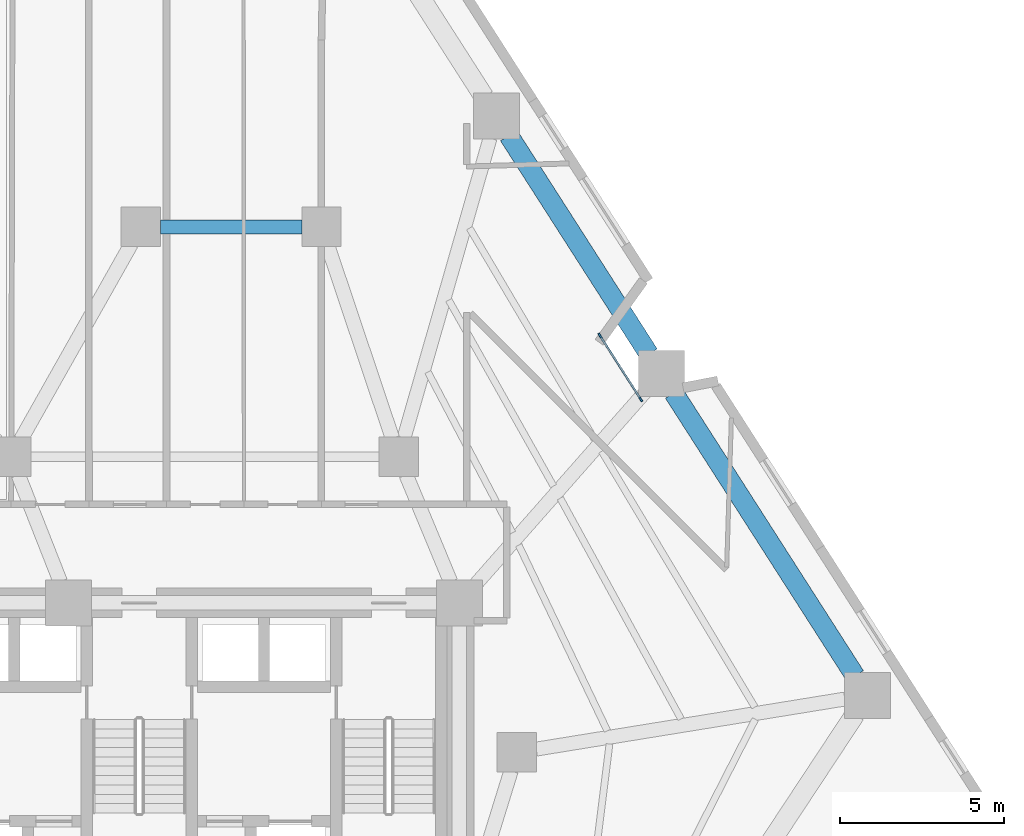
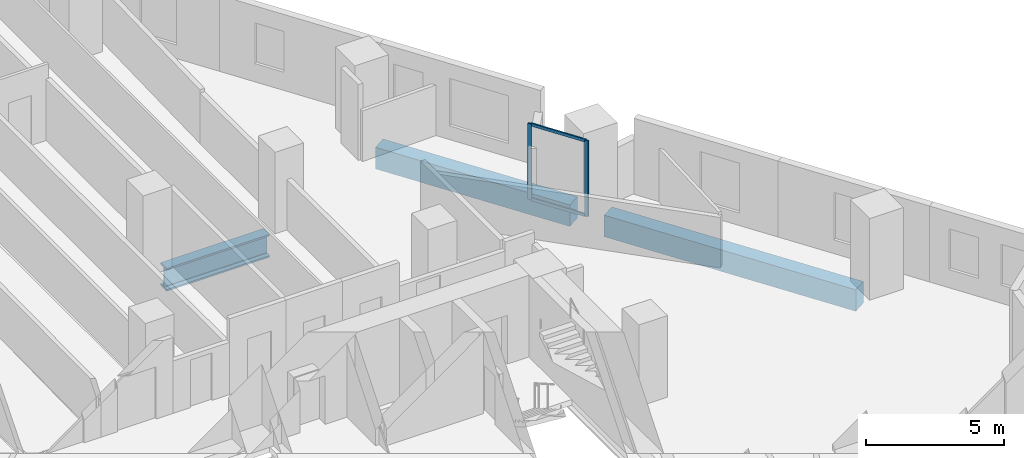
# One storey, part 5 of 15: 4 members, 3 beams, 1 element without a shape of its own.
"""IFC4 building model written with IfcOpenShell, lengths in metres."""

from ifc_helpers import new_model, si_unit, direction, frame, origin, origin_2d, place, context, subcontext, project, spatial, rectangle, i_section, extrude, material, layer, layer_set, material_profile, profile_set, type_object, element, aggregate, save


model = new_model("IFC4")

# Units and contexts
model_context = context("Model", 3, precision=1e-05, world=origin(), true_north=direction((0.0, 1.0)))
body_context = subcontext(model_context, "Body", "Model", "MODEL_VIEW")
ifc_project = project(units=[si_unit("LENGTHUNIT", "METRE"), si_unit("AREAUNIT", "SQUARE_METRE"), si_unit("VOLUMEUNIT", "CUBIC_METRE"), si_unit("PLANEANGLEUNIT", "RADIAN"), si_unit("MASSUNIT", "GRAM", prefix="KILO")], contexts=[model_context])

# Site, building, storey
site_placement = place(None, origin())
site = spatial("IfcSite", under=ifc_project, at=site_placement, CompositionType="ELEMENT")
building_placement = place(site_placement, origin())
building = spatial("IfcBuilding", under=site, at=building_placement, Name="Almagre Mirador Tower", CompositionType="ELEMENT")
storey_placement = place(building_placement, frame((0.0, 0.0, 31.800048828125)))
storey = spatial("IfcBuildingStorey", under=building, at=storey_placement, Name="L06", CompositionType="ELEMENT", Elevation=31.800048828125)

# Beams
ifc_material_1 = material(Name="Precast concrete C50/60", Category="concrete")
ifc_material_profile_1 = material_profile(ifc_material_1, rectangle(XDim=0.60009765625, YDim=0.949951171875, at=origin_2d()), Name="RC600X950")
ifc_profile_set_1 = profile_set([ifc_material_profile_1], Name="Precast concrete C50/60")
beam_type_1 = type_object("IfcBeamType", Name="BM-SPN-RC600X950", PredefinedType="SPANDREL", material=ifc_profile_set_1)
beam_1_placement = place(storey_placement, frame((59.104248046875, 12.5224609375, -0.72509765625), z_axis=(-0.539549548581, 0.841953849463, 0.0), x_axis=(-0.841953849463, -0.539549548581, 0.0)))
element("IfcBeam", 1, at=beam_1_placement, inside=storey, type_object=beam_type_1, Name="L06 perimeter spandrel beam PC05-PC06", PredefinedType="SPANDREL", context=body_context, shape_type="SweptSolid", body=[
    extrude(rectangle(XDim=0.60009765625, YDim=0.949951171875, at=origin_2d()), origin(), (0.0, 0.0, 1.0), 10.239501953125),
])
beam_2_placement = place(storey_placement, frame((52.82421875, 22.322509765625, -0.72509765625), z_axis=(-0.539540486584, 0.841959656597, 0.0), x_axis=(-0.841959656597, -0.539540486584, 0.0)))
element("IfcBeam", 2, at=beam_2_placement, inside=storey, type_object=beam_type_1, Name="L06 perimeter spandrel beam PC06-PC07", PredefinedType="SPANDREL", context=body_context, shape_type="SweptSolid", body=[
    extrude(rectangle(XDim=0.60009765625, YDim=0.949951171875, at=origin_2d()), origin(), (0.0, 0.0, 1.0), 7.911376953125),
])
ifc_material_2 = material(Name="Steel ASTM A992 Grade 50", Category="steel")
ifc_material_profile_2 = material_profile(ifc_material_2, i_section(OverallWidth=0.43701171875, OverallDepth=1.010986328125, WebThickness=0.041015625, FlangeThickness=0.073974609375, FilletRadius=0.028076171875, at=origin_2d()), Name="W36X529")
ifc_profile_set_2 = profile_set([ifc_material_profile_2], Name="Steel ASTM A992 Grade 50")
beam_type_2 = type_object("IfcBeamType", Name="BM-STL-W36X529", PredefinedType="BEAM", material=ifc_profile_set_2)
beam_3_placement = place(storey_placement, frame((37.949951171875, 26.199951171875, -0.755615234375), z_axis=(1.0, 0.0, 0.0), x_axis=(0.0, 1.0, 0.0)))
element("IfcBeam", 3, at=beam_3_placement, inside=storey, type_object=beam_type_2, Name="L06 core tie girder MC7-MC6", PredefinedType="BEAM", context=body_context, shape_type="SweptSolid", body=[
    extrude(i_section(OverallWidth=0.43701171875, OverallDepth=1.010986328125, WebThickness=0.041015625, FlangeThickness=0.073974609375, FilletRadius=0.028076171875, at=origin_2d()), origin(), (0.0, 0.0, 1.0), 4.300048828125),
])

# Curtain wall, members
ifc_material_3 = material(Name="Black anodized aluminium", Category="aluminium")
ifc_layer = layer(ifc_material_3, 0.169921875)
ifc_layer_set = layer_set([ifc_layer], Name="Black anodized aluminium")
curtain_wall_type = type_object("IfcCurtainWallType", Name="CW-CRS-SYS", PredefinedType="NOTDEFINED", material=ifc_layer_set)
curtain_wall_placement = place(storey_placement, origin())
curtain_wall = element("IfcCurtainWall", 4, at=curtain_wall_placement, inside=storey, type_object=curtain_wall_type, Name="L06 vertical crease curtain wall 03", PredefinedType="NOTDEFINED")
ifc_material_4 = material(Name="Black anodized aluminium", Category="aluminium")
ifc_material_profile_3 = material_profile(ifc_material_4, rectangle(XDim=0.06005859375, YDim=0.14990234375, at=origin_2d()), Name="CWM60X150")
ifc_profile_set_3 = profile_set([ifc_material_profile_3], Name="Black anodized aluminium")
member_type_1 = type_object("IfcMemberType", Name="MBR-CWM60X150", PredefinedType="MULLION", material=ifc_profile_set_3)
member_1_placement = place(storey_placement, frame((51.32958984375, 22.892578125, 0.0), z_axis=(0.0, 0.0, 1.0), x_axis=(0.841762109764, 0.539848636718, 0.0)))
member_1 = element("IfcMember", 5, at=member_1_placement, type_object=member_type_1, Name="CW-4 mullion 1", PredefinedType="MULLION", context=body_context, shape_type="SweptSolid", body=[
    extrude(rectangle(XDim=0.06005859375, YDim=0.14990234375, at=origin_2d()), origin(), (0.0, 0.0, 1.0), 3.349853515625),
])
member_2_placement = place(storey_placement, frame((52.576416015625, 20.948486328125, 0.0), z_axis=(0.0, 0.0, 1.0), x_axis=(0.841762109764, 0.539848636718, 0.0)))
member_2 = element("IfcMember", 6, at=member_2_placement, type_object=member_type_1, Name="CW-4 mullion 2", PredefinedType="MULLION", context=body_context, shape_type="SweptSolid", body=[
    extrude(rectangle(XDim=0.06005859375, YDim=0.14990234375, at=origin_2d()), origin(), (0.0, 0.0, 1.0), 3.349853515625),
])
ifc_material_5 = material(Name="Black anodized aluminium", Category="aluminium")
ifc_material_profile_4 = material_profile(ifc_material_5, rectangle(XDim=0.06005859375, YDim=0.1298828125, at=origin_2d()), Name="CWT60X130")
ifc_profile_set_4 = profile_set([ifc_material_profile_4], Name="Black anodized aluminium")
member_type_2 = type_object("IfcMemberType", Name="MBR-CWT60X130", PredefinedType="USERDEFINED", material=ifc_profile_set_4)
member_3_placement = place(storey_placement, frame((51.345703125, 22.8671875, 0.030029296875), z_axis=(0.539912624717, -0.841721068805, 0.0), x_axis=(0.841721068805, 0.539912624717, 0.0)))
member_3 = element("IfcMember", 7, at=member_3_placement, type_object=member_type_2, Name="CW-4 transom 1.1", ObjectType="TRANSOM", PredefinedType="USERDEFINED", context=body_context, shape_type="SweptSolid", body=[
    extrude(rectangle(XDim=0.06005859375, YDim=0.1298828125, at=origin_2d()), origin(), (0.0, 0.0, 1.0), 2.24951171875),
])
member_4_placement = place(storey_placement, frame((51.345703125, 22.8671875, 3.320068359375), z_axis=(0.539912624717, -0.841721068805, 0.0), x_axis=(0.841721068805, 0.539912624717, 0.0)))
member_4 = element("IfcMember", 8, at=member_4_placement, type_object=member_type_2, Name="CW-4 transom 1.2", ObjectType="TRANSOM", PredefinedType="USERDEFINED", context=body_context, shape_type="SweptSolid", body=[
    extrude(rectangle(XDim=0.06005859375, YDim=0.1298828125, at=origin_2d()), origin(), (0.0, 0.0, 1.0), 2.24951171875),
])
aggregate(curtain_wall, [member_1, member_2, member_3, member_4])

save(model, "model.ifc")
